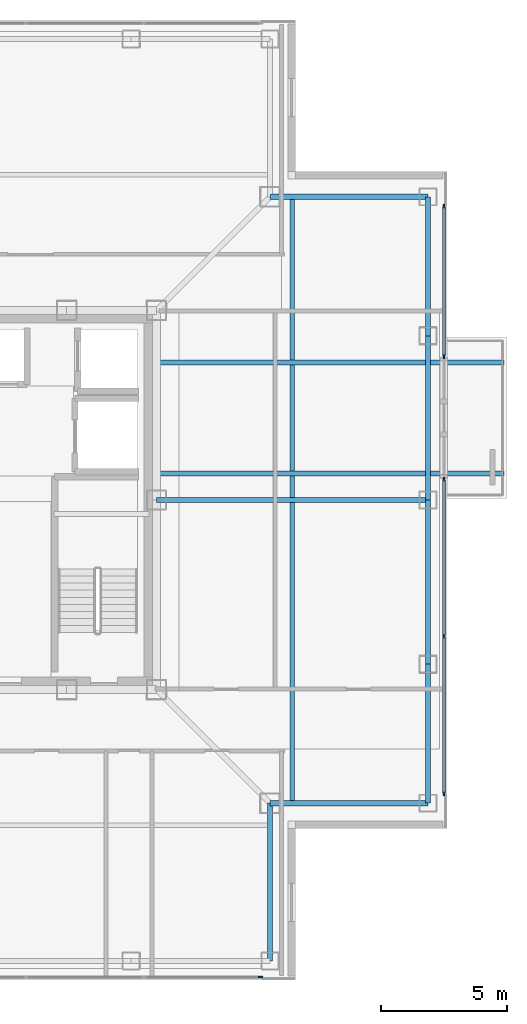
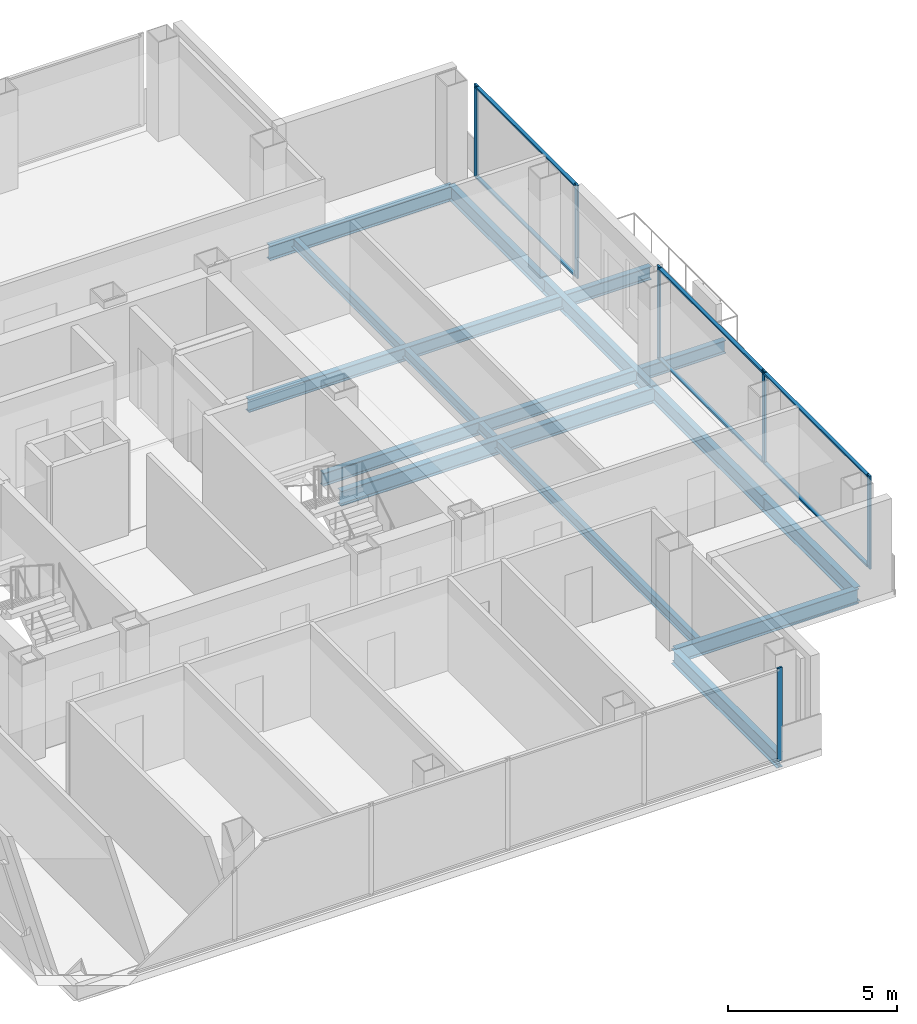
# One storey, part 6 of 13: 12 members, 11 beams, 3 elements without a shape of their own.
"""IFC4 building model written with IfcOpenShell, lengths in metres."""

from ifc_helpers import new_model, si_unit, direction, frame, origin, origin_2d, place, context, subcontext, project, spatial, rectangle, i_section, extrude, material, layer, layer_set, material_profile, profile_set, type_object, element, aggregate, save


model = new_model("IFC4")

# Units and contexts
model_context = context("Model", 3, precision=1e-05, world=origin(), true_north=direction((0.0, 1.0)))
body_context = subcontext(model_context, "Body", "Model", "MODEL_VIEW")
ifc_project = project(units=[si_unit("LENGTHUNIT", "METRE"), si_unit("AREAUNIT", "SQUARE_METRE"), si_unit("VOLUMEUNIT", "CUBIC_METRE"), si_unit("PLANEANGLEUNIT", "RADIAN"), si_unit("MASSUNIT", "GRAM", prefix="KILO")], contexts=[model_context])

# Site, building, storey
site_placement = place(None, origin())
site = spatial("IfcSite", under=ifc_project, at=site_placement, CompositionType="ELEMENT")
building_placement = place(site_placement, origin())
building = spatial("IfcBuilding", under=site, at=building_placement, Name="Trevonay Congress Spire", CompositionType="ELEMENT")
storey_placement = place(building_placement, frame((0.0, 0.0, 286.39990234375)))
storey = spatial("IfcBuildingStorey", under=building, at=storey_placement, Name="L75", CompositionType="ELEMENT", Elevation=286.39990234375)

# Beams
ifc_material_1 = material(Name="Steel ASTM A572 Grade 50", Category="steel")
ifc_material_profile_1 = material_profile(ifc_material_1, i_section(OverallWidth=0.194091796875, OverallDepth=0.468994140625, WebThickness=0.011474609375, FlangeThickness=0.01953125, FilletRadius=0.013916015625, at=origin_2d()), Name="W460x106")
ifc_profile_set_1 = profile_set([ifc_material_profile_1], Name="Steel ASTM A572 Grade 50")
beam_type_1 = type_object("IfcBeamType", Name="BM-BAL-LOOKOUT", PredefinedType="BEAM", material=ifc_profile_set_1)
for number, where, z_axis, x_axis, name in (
    (1, (7.5, 1.050048828125, -0.474365234375), (1.0, 0.0, 0.0), (0.0, 1.0, 0.0), "L75 structural beam LKT-L75-E1"),
    (2, (7.5, 5.449951171875, -0.474365234375), (1.0, 0.0, 0.0), (0.0, 1.0, 0.0), "L75 structural beam LKT-L75-E2"),
):
    element("IfcBeam", number, at=place(storey_placement, frame(where, z_axis=z_axis, x_axis=x_axis)), inside=storey, type_object=beam_type_1, Name=name, PredefinedType="BEAM", context=body_context, shape_type="SweptSolid", body=[
        extrude(i_section(OverallWidth=0.194091796875, OverallDepth=0.468994140625, WebThickness=0.011474609375, FlangeThickness=0.01953125, FilletRadius=0.013916015625, at=origin_2d()), origin(), (0.0, 0.0, 1.0), 13.75),
    ])
ifc_material_profile_2 = material_profile(ifc_material_1, i_section(OverallWidth=0.2119140625, OverallDepth=0.5439453125, WebThickness=0.01318359375, FlangeThickness=0.021240234375, FilletRadius=0.014892578125, at=origin_2d()), Name="W530x123")
ifc_profile_set_2 = profile_set([ifc_material_profile_2], Name="Steel ASTM A572 Grade 50")
beam_type_2 = type_object("IfcBeamType", Name="BM-GIRD-W530X123", PredefinedType="BEAM", material=ifc_profile_set_2)
beam_1_placement = place(storey_placement, frame((7.5, 0.0, -0.511962890625), z_axis=(1.0, 0.0, 0.0), x_axis=(0.0, 1.0, 0.0)))
element("IfcBeam", 3, at=beam_1_placement, inside=storey, type_object=beam_type_2, Name="L75 structural beam BM-L75-GC-E", PredefinedType="BEAM", context=body_context, shape_type="SweptSolid", body=[
    extrude(i_section(OverallWidth=0.2119140625, OverallDepth=0.5439453125, WebThickness=0.01318359375, FlangeThickness=0.021240234375, FilletRadius=0.014892578125, at=origin_2d()), origin(), (0.0, 0.0, 1.0), 10.75),
])
ifc_material_profile_3 = material_profile(ifc_material_1, i_section(OverallWidth=0.208984375, OverallDepth=0.532958984375, WebThickness=0.01025390625, FlangeThickness=0.015625, FilletRadius=0.014892578125, at=origin_2d()), Name="W530x92")
ifc_profile_set_3 = profile_set([ifc_material_profile_3], Name="Steel ASTM A572 Grade 50")
beam_type_3 = type_object("IfcBeamType", Name="BM-RING-W530X92", PredefinedType="BEAM", material=ifc_profile_set_3)
beam_2_placement = place(storey_placement, frame((18.25, -12.0, -0.50634765625), z_axis=(0.0, 1.0, 0.0), x_axis=(-1.0, 0.0, 0.0)))
element("IfcBeam", 4, at=beam_2_placement, inside=storey, type_object=beam_type_3, Name="L75 structural beam BM-L75-PE1", PredefinedType="BEAM", context=body_context, shape_type="SweptSolid", body=[
    extrude(i_section(OverallWidth=0.208984375, OverallDepth=0.532958984375, WebThickness=0.01025390625, FlangeThickness=0.015625, FilletRadius=0.014892578125, at=origin_2d()), origin(), (0.0, 0.0, 1.0), 5.5),
])
for number, where, z_axis, x_axis, name in (
    (5, (18.25, -6.5, -0.50634765625), (0.0, 1.0, 0.0), (-1.0, 0.0, 0.0), "L75 structural beam BM-L75-PE2"),
    (6, (18.25, 0.0, -0.50634765625), (0.0, 1.0, 0.0), (-1.0, 0.0, 0.0), "L75 structural beam BM-L75-PE3"),
):
    element("IfcBeam", number, at=place(storey_placement, frame(where, z_axis=z_axis, x_axis=x_axis)), inside=storey, type_object=beam_type_3, Name=name, PredefinedType="BEAM", context=body_context, shape_type="SweptSolid", body=[
        extrude(i_section(OverallWidth=0.208984375, OverallDepth=0.532958984375, WebThickness=0.01025390625, FlangeThickness=0.015625, FilletRadius=0.014892578125, at=origin_2d()), origin(), (0.0, 0.0, 1.0), 6.5),
    ])
beam_3_placement = place(storey_placement, frame((18.25, 6.5, -0.50634765625), z_axis=(0.0, 1.0, 0.0), x_axis=(-1.0, 0.0, 0.0)))
element("IfcBeam", 7, at=beam_3_placement, inside=storey, type_object=beam_type_3, Name="L75 structural beam BM-L75-PE4", PredefinedType="BEAM", context=body_context, shape_type="SweptSolid", body=[
    extrude(i_section(OverallWidth=0.208984375, OverallDepth=0.532958984375, WebThickness=0.01025390625, FlangeThickness=0.015625, FilletRadius=0.014892578125, at=origin_2d()), origin(), (0.0, 0.0, 1.0), 5.5),
])
for number, where, z_axis, x_axis, name in (
    (8, (12.0, -18.25, -0.50634765625), (0.0, 1.0, 0.0), (-1.0, 0.0, 0.0), "L75 structural beam BM-L75-N1SE"),
    (9, (18.25, -12.0, -0.50634765625), (-1.0, 0.0, 0.0), (0.0, -1.0, 0.0), "L75 structural beam BM-L75-N2SE"),
    (10, (18.25, 12.0, -0.50634765625), (-1.0, 0.0, 0.0), (0.0, -1.0, 0.0), "L75 structural beam BM-L75-N2NE"),
):
    element("IfcBeam", number, at=place(storey_placement, frame(where, z_axis=z_axis, x_axis=x_axis)), inside=storey, type_object=beam_type_3, Name=name, PredefinedType="BEAM", context=body_context, shape_type="SweptSolid", body=[
        extrude(i_section(OverallWidth=0.208984375, OverallDepth=0.532958984375, WebThickness=0.01025390625, FlangeThickness=0.015625, FilletRadius=0.014892578125, at=origin_2d()), origin(), (0.0, 0.0, 1.0), 6.25),
    ])

# Curtain wall, member
ifc_material_2 = material(Name="Pale Anodised Aluminium EN AW-6063-T6", Category="aluminium")
ifc_layer = layer(ifc_material_2, 0.1650390625, Name="Pale Anodised Aluminium EN AW-6063-T6")
ifc_layer_set = layer_set([ifc_layer], Name="Pale Anodised Aluminium EN AW-6063-T6")
curtain_wall_type = type_object("IfcCurtainWallType", Name="CW-SYS05-DIPLOM-PALE-METAL", PredefinedType="NOTDEFINED", material=ifc_layer_set)
curtain_wall_1_placement = place(storey_placement, origin())
curtain_wall_1 = element("IfcCurtainWall", 11, at=curtain_wall_1_placement, inside=storey, type_object=curtain_wall_type, Name="L75 S unitised curtain wall", PredefinedType="NOTDEFINED")
ifc_material_profile_4 = material_profile(ifc_material_2, rectangle(XDim=0.06005859375, YDim=0.159912109375, at=origin_2d()), Name="CW-MULLION-160-ALUMINIUM")
ifc_profile_set_4 = profile_set([ifc_material_profile_4], Name="Pale Anodised Aluminium EN AW-6063-T6")
member_type_1 = type_object("IfcMemberType", Name="CW-MULLION-160-ALUMINIUM", PredefinedType="MULLION", material=ifc_profile_set_4)
member_1_placement = place(storey_placement, frame((11.6201171875, -18.8798828125, 0.0), z_axis=(0.0, 0.0, 1.0), x_axis=(0.0, 1.0, 0.0)))
member_1 = element("IfcMember", 12, at=member_1_placement, type_object=member_type_1, Name="CW05 mullion 6", PredefinedType="MULLION", context=body_context, shape_type="SweptSolid", body=[
    extrude(rectangle(XDim=0.06005859375, YDim=0.159912109375, at=origin_2d()), origin(), (0.0, 0.0, 1.0), 3.360107421875),
])
aggregate(curtain_wall_1, [member_1])

# Curtain wall, members
curtain_wall_2_placement = place(storey_placement, origin())
curtain_wall_2 = element("IfcCurtainWall", 13, at=curtain_wall_2_placement, inside=storey, type_object=curtain_wall_type, Name="L75 EA unitised curtain wall", PredefinedType="NOTDEFINED")
member_2_placement = place(storey_placement, frame((18.8798828125, -11.6201171875, 0.0), z_axis=(0.0, 0.0, 1.0), x_axis=(-1.0, 0.0, 0.0)))
member_2 = element("IfcMember", 14, at=member_2_placement, type_object=member_type_1, Name="CW05 mullion 1", PredefinedType="MULLION", context=body_context, shape_type="SweptSolid", body=[
    extrude(rectangle(XDim=0.06005859375, YDim=0.159912109375, at=origin_2d()), origin(), (0.0, 0.0, 1.0), 3.360107421875),
])
member_3_placement = place(storey_placement, frame((18.8798828125, -5.39990234375, 0.0), z_axis=(0.0, 0.0, 1.0), x_axis=(-1.0, 0.0, 0.0)))
member_3 = element("IfcMember", 15, at=member_3_placement, type_object=member_type_1, Name="CW05 mullion 2", PredefinedType="MULLION", context=body_context, shape_type="SweptSolid", body=[
    extrude(rectangle(XDim=0.06005859375, YDim=0.159912109375, at=origin_2d()), origin(), (0.0, 0.0, 1.0), 3.360107421875),
])
member_4_placement = place(storey_placement, frame((18.8798828125, 0.820068359375, 0.0), z_axis=(0.0, 0.0, 1.0), x_axis=(-1.0, 0.0, 0.0)))
member_4 = element("IfcMember", 16, at=member_4_placement, type_object=member_type_1, Name="CW05 mullion 3", PredefinedType="MULLION", context=body_context, shape_type="SweptSolid", body=[
    extrude(rectangle(XDim=0.06005859375, YDim=0.159912109375, at=origin_2d()), origin(), (0.0, 0.0, 1.0), 3.360107421875),
])

curtain_wall_3_placement = place(storey_placement, origin())
curtain_wall_3 = element("IfcCurtainWall", 17, at=curtain_wall_3_placement, inside=storey, type_object=curtain_wall_type, Name="L75 EB unitised curtain wall", PredefinedType="NOTDEFINED")
member_5_placement = place(storey_placement, frame((18.8798828125, 5.679931640625, 0.0), z_axis=(0.0, 0.0, 1.0), x_axis=(-1.0, 0.0, 0.0)))
member_5 = element("IfcMember", 18, at=member_5_placement, type_object=member_type_1, Name="CW05 mullion 1", PredefinedType="MULLION", context=body_context, shape_type="SweptSolid", body=[
    extrude(rectangle(XDim=0.06005859375, YDim=0.159912109375, at=origin_2d()), origin(), (0.0, 0.0, 1.0), 3.360107421875),
])
member_6_placement = place(storey_placement, frame((18.8798828125, 11.6201171875, 0.0), z_axis=(0.0, 0.0, 1.0), x_axis=(-1.0, 0.0, 0.0)))
member_6 = element("IfcMember", 19, at=member_6_placement, type_object=member_type_1, Name="CW05 mullion 2", PredefinedType="MULLION", context=body_context, shape_type="SweptSolid", body=[
    extrude(rectangle(XDim=0.06005859375, YDim=0.159912109375, at=origin_2d()), origin(), (0.0, 0.0, 1.0), 3.360107421875),
])

# Member
ifc_material_profile_5 = material_profile(ifc_material_2, rectangle(XDim=0.1201171875, YDim=0.06005859375, at=origin_2d()), Name="CW-TRANSOM-120-ALUMINIUM")
ifc_profile_set_5 = profile_set([ifc_material_profile_5], Name="Pale Anodised Aluminium EN AW-6063-T6")
member_type_2 = type_object("IfcMemberType", Name="CW-TRANSOM-120-ALUMINIUM", PredefinedType="USERDEFINED", material=ifc_profile_set_5)
member_7_placement = place(storey_placement, frame((18.8798828125, -11.590087890625, 0.06005859375), z_axis=(0.0, 1.0, 0.0), x_axis=(-1.0, 0.0, 0.0)))
member_7 = element("IfcMember", 20, at=member_7_placement, type_object=member_type_2, Name="CW05 transom 1.1", ObjectType="TRANSOM", PredefinedType="USERDEFINED", context=body_context, shape_type="SweptSolid", body=[
    extrude(rectangle(XDim=0.1201171875, YDim=0.06005859375, at=origin_2d()), origin(), (0.0, 0.0, 1.0), 6.16015625),
])

member_8_placement = place(storey_placement, frame((18.8798828125, -11.590087890625, 3.300048828125), z_axis=(0.0, 1.0, 0.0), x_axis=(-1.0, 0.0, 0.0)))
member_8 = element("IfcMember", 21, at=member_8_placement, type_object=member_type_2, Name="CW05 transom 1.2", ObjectType="TRANSOM", PredefinedType="USERDEFINED", context=body_context, shape_type="SweptSolid", body=[
    extrude(rectangle(XDim=0.1201171875, YDim=0.06005859375, at=origin_2d()), origin(), (0.0, 0.0, 1.0), 6.16015625),
])

member_9_placement = place(storey_placement, frame((18.8798828125, -5.3701171875, 0.06005859375), z_axis=(0.0, 1.0, 0.0), x_axis=(-1.0, 0.0, 0.0)))
member_9 = element("IfcMember", 22, at=member_9_placement, type_object=member_type_2, Name="CW05 transom 2.1", ObjectType="TRANSOM", PredefinedType="USERDEFINED", context=body_context, shape_type="SweptSolid", body=[
    extrude(rectangle(XDim=0.1201171875, YDim=0.06005859375, at=origin_2d()), origin(), (0.0, 0.0, 1.0), 6.16015625),
])

member_10_placement = place(storey_placement, frame((18.8798828125, -5.3701171875, 3.300048828125), z_axis=(0.0, 1.0, 0.0), x_axis=(-1.0, 0.0, 0.0)))
member_10 = element("IfcMember", 23, at=member_10_placement, type_object=member_type_2, Name="CW05 transom 2.2", ObjectType="TRANSOM", PredefinedType="USERDEFINED", context=body_context, shape_type="SweptSolid", body=[
    extrude(rectangle(XDim=0.1201171875, YDim=0.06005859375, at=origin_2d()), origin(), (0.0, 0.0, 1.0), 6.16015625),
])

aggregate(curtain_wall_2, [member_2, member_3, member_4, member_7, member_8, member_9, member_10])

member_11_placement = place(storey_placement, frame((18.8798828125, 5.7099609375, 0.06005859375), z_axis=(0.0, 1.0, 0.0), x_axis=(-1.0, 0.0, 0.0)))
member_11 = element("IfcMember", 24, at=member_11_placement, type_object=member_type_2, Name="CW05 transom 1.1", ObjectType="TRANSOM", PredefinedType="USERDEFINED", context=body_context, shape_type="SweptSolid", body=[
    extrude(rectangle(XDim=0.1201171875, YDim=0.06005859375, at=origin_2d()), origin(), (0.0, 0.0, 1.0), 5.880126953125),
])

member_12_placement = place(storey_placement, frame((18.8798828125, 5.7099609375, 3.300048828125), z_axis=(0.0, 1.0, 0.0), x_axis=(-1.0, 0.0, 0.0)))
member_12 = element("IfcMember", 25, at=member_12_placement, type_object=member_type_2, Name="CW05 transom 1.2", ObjectType="TRANSOM", PredefinedType="USERDEFINED", context=body_context, shape_type="SweptSolid", body=[
    extrude(rectangle(XDim=0.1201171875, YDim=0.06005859375, at=origin_2d()), origin(), (0.0, 0.0, 1.0), 5.880126953125),
])

aggregate(curtain_wall_3, [member_5, member_6, member_11, member_12])

# Beam
ifc_material_profile_6 = material_profile(ifc_material_1, i_section(OverallWidth=0.172119140625, OverallDepth=0.35791015625, WebThickness=0.0078125, FlangeThickness=0.01318359375, FilletRadius=0.011962890625, at=origin_2d()), Name="W360x57.8")
ifc_profile_set_6 = profile_set([ifc_material_profile_6], Name="Steel ASTM A572 Grade 50")
beam_type_4 = type_object("IfcBeamType", Name="JS-COMP-W360X57", PredefinedType="JOIST", material=ifc_profile_set_6)
beam_4_placement = place(storey_placement, frame((12.875, -12.0, -0.4189453125), z_axis=(0.0, 1.0, 0.0), x_axis=(-1.0, 0.0, 0.0)))
element("IfcBeam", 26, at=beam_4_placement, inside=storey, type_object=beam_type_4, Name="L75 structural beam JS-L75-RING-E", PredefinedType="JOIST", context=body_context, shape_type="SweptSolid", body=[
    extrude(i_section(OverallWidth=0.172119140625, OverallDepth=0.35791015625, WebThickness=0.0078125, FlangeThickness=0.01318359375, FilletRadius=0.011962890625, at=origin_2d()), origin(), (0.0, 0.0, 1.0), 24.0),
])

save(model, "model.ifc")
